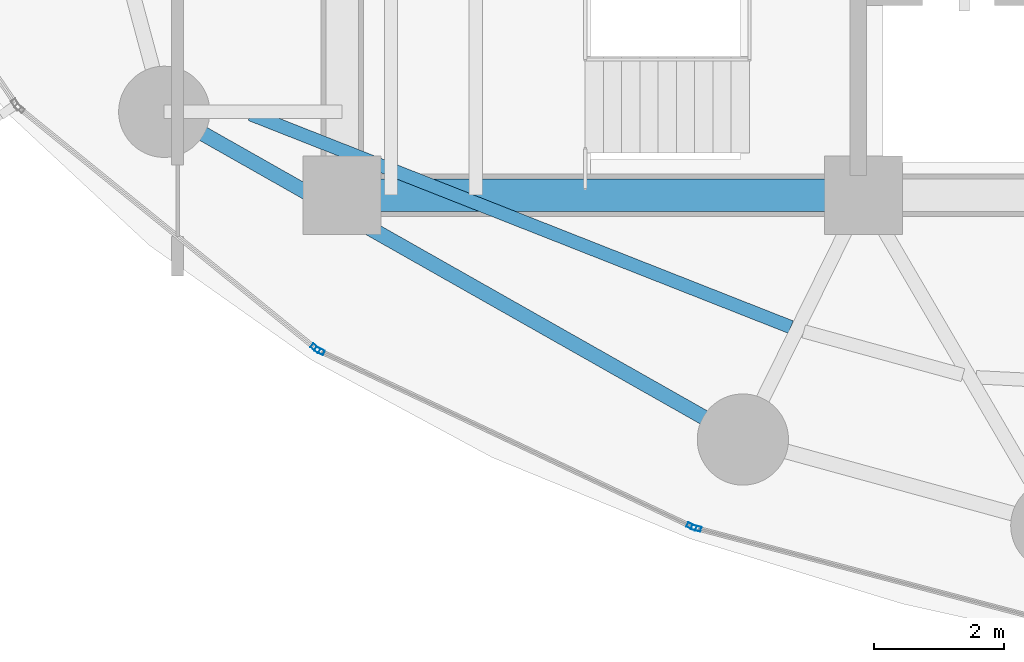
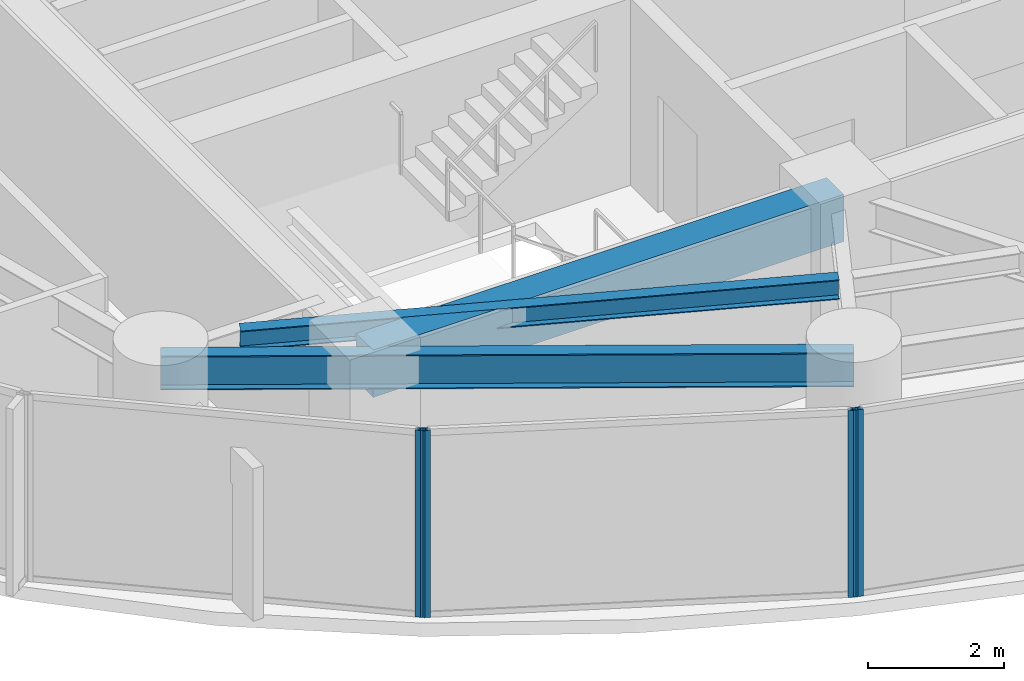
# One storey, part 2 of 32: 4 members, 3 beams, 3 elements without a shape of their own.
"""IFC4 building model written with IfcOpenShell, lengths in metres."""

from ifc_helpers import new_model, si_unit, direction, frame, origin, origin_2d, place, context, subcontext, project, spatial, rectangle, hollow_rectangle, i_section, extrude, material, layer, layer_set, material_profile, profile_set, type_object, element, aggregate, save


model = new_model("IFC4")

# Units and contexts
model_context = context("Model", 3, precision=1e-05, world=origin(), true_north=direction((0.0, 1.0)))
body_context = subcontext(model_context, "Body", "Model", "MODEL_VIEW")
ifc_project = project(units=[si_unit("LENGTHUNIT", "METRE"), si_unit("AREAUNIT", "SQUARE_METRE"), si_unit("VOLUMEUNIT", "CUBIC_METRE"), si_unit("PLANEANGLEUNIT", "RADIAN"), si_unit("MASSUNIT", "GRAM", prefix="KILO")], contexts=[model_context])

# Site, building, storey
site_placement = place(None, origin())
site = spatial("IfcSite", under=ifc_project, at=site_placement, CompositionType="ELEMENT")
building_placement = place(site_placement, origin())
building = spatial("IfcBuilding", under=site, at=building_placement, Name="Kazevale Care Tower and Concert Hall", CompositionType="ELEMENT")
storey_placement = place(building_placement, frame((0.0, 0.0, 85.199951171875)))
storey = spatial("IfcBuildingStorey", under=building, at=storey_placement, Name="L22", CompositionType="ELEMENT", Elevation=85.199951171875)

# Curtain wall, member
ifc_material_1 = material(Name="Aluminium 6063-T6 and Low-E Glass", Category="aluminium")
ifc_layer = layer(ifc_material_1, 0.179931640625)
ifc_layer_set = layer_set([ifc_layer], Name="Aluminium 6063-T6 and Low-E Glass")
curtain_wall_type = type_object("IfcCurtainWallType", Name="Sheltered Concave Balcony Curtain Wall CW-5", PredefinedType="NOTDEFINED", material=ifc_layer_set)
curtain_wall_1_placement = place(storey_placement, origin())
curtain_wall_1 = element("IfcCurtainWall", 1, at=curtain_wall_1_placement, inside=storey, type_object=curtain_wall_type, Name="cw:L22:f08", PredefinedType="NOTDEFINED")
ifc_material_2 = material(Name="Aluminium 6063-T6", Category="aluminium")
ifc_material_profile_1 = material_profile(ifc_material_2, hollow_rectangle(XDim=0.074951171875, YDim=0.14990234375, WallThickness=0.00390625, at=origin_2d()), Name="ALU75x150x4")
ifc_profile_set_1 = profile_set([ifc_material_profile_1], Name="Aluminium 6063-T6")
member_type = type_object("IfcMemberType", Name="CW-5 Mullion ALU75x150x4", PredefinedType="MULLION", material=ifc_profile_set_1)
member_1_placement = place(storey_placement, frame((27.433349609375, 18.489501953125, 0.0), z_axis=(0.0, 0.0, 1.0), x_axis=(-0.254828630267, -0.966986230097, 0.0)))
member_1 = element("IfcMember", 2, at=member_1_placement, type_object=member_type, Name="CW-5 mullion 2", PredefinedType="MULLION", context=body_context, shape_type="SweptSolid", body=[
    extrude(hollow_rectangle(XDim=0.074951171875, YDim=0.14990234375, WallThickness=0.00390625, at=origin_2d()), origin(), (0.0, 0.0, 1.0), 3.360107421875),
])
aggregate(curtain_wall_1, [member_1])

# Curtain wall, members
curtain_wall_2_placement = place(storey_placement, origin())
curtain_wall_2 = element("IfcCurtainWall", 3, at=curtain_wall_2_placement, inside=storey, type_object=curtain_wall_type, Name="cw:L22:f09", PredefinedType="NOTDEFINED")
member_2_placement = place(storey_placement, frame((27.363037109375, 18.514892578125, 0.0), z_axis=(0.0, 0.0, 1.0), x_axis=(-0.426942320459, -0.904278859092, 0.0)))
member_2 = element("IfcMember", 4, at=member_2_placement, type_object=member_type, Name="CW-5 mullion 1", PredefinedType="MULLION", context=body_context, shape_type="SweptSolid", body=[
    extrude(hollow_rectangle(XDim=0.074951171875, YDim=0.14990234375, WallThickness=0.00390625, at=origin_2d()), origin(), (0.0, 0.0, 1.0), 3.360107421875),
])
member_3_placement = place(storey_placement, frame((21.65283203125, 21.2109375, 0.0), z_axis=(0.0, 0.0, 1.0), x_axis=(-0.426942320459, -0.904278859092, 0.0)))
member_3 = element("IfcMember", 5, at=member_3_placement, type_object=member_type, Name="CW-5 mullion 2", PredefinedType="MULLION", context=body_context, shape_type="SweptSolid", body=[
    extrude(hollow_rectangle(XDim=0.074951171875, YDim=0.14990234375, WallThickness=0.00390625, at=origin_2d()), origin(), (0.0, 0.0, 1.0), 3.360107421875),
])
aggregate(curtain_wall_2, [member_2, member_3])

# Curtain wall, member
curtain_wall_3_placement = place(storey_placement, origin())
curtain_wall_3 = element("IfcCurtainWall", 6, at=curtain_wall_3_placement, inside=storey, type_object=curtain_wall_type, Name="cw:L22:f10", PredefinedType="NOTDEFINED")
member_4_placement = place(storey_placement, frame((21.58984375, 21.250732421875, 0.0), z_axis=(0.0, 0.0, 1.0), x_axis=(-0.629994732952, -0.77659940539, 0.0)))
member_4 = element("IfcMember", 7, at=member_4_placement, type_object=member_type, Name="CW-5 mullion 1", PredefinedType="MULLION", context=body_context, shape_type="SweptSolid", body=[
    extrude(hollow_rectangle(XDim=0.074951171875, YDim=0.14990234375, WallThickness=0.00390625, at=origin_2d()), origin(), (0.0, 0.0, 1.0), 3.360107421875),
])
aggregate(curtain_wall_3, [member_4])

# Beams
ifc_material_3 = material(Name="Concrete C60", Category="concrete")
ifc_material_profile_2 = material_profile(ifc_material_3, rectangle(XDim=0.5, YDim=0.85009765625, at=origin_2d()), Name="RC-B500x850")
ifc_profile_set_2 = profile_set([ifc_material_profile_2], Name="Concrete C60")
beam_type_1 = type_object("IfcBeamType", Name="Core Coupling Beam RC500x850", PredefinedType="LINTEL", material=ifc_profile_set_2)
beam_1_placement = place(storey_placement, frame((22.0, 23.60009765625, 2.93505859375), z_axis=(1.0, 0.0, 0.0), x_axis=(0.0, 1.0, 0.0)))
element("IfcBeam", 8, at=beam_1_placement, inside=storey, type_object=beam_type_1, Name="beam:L22:coretie:1", PredefinedType="LINTEL", context=body_context, shape_type="SweptSolid", body=[
    extrude(rectangle(XDim=0.5, YDim=0.85009765625, at=origin_2d()), origin(), (0.0, 0.0, 1.0), 8.0),
])
ifc_material_4 = material(Name="Steel ASTM A572 Gr 50", Category="steel")
ifc_material_profile_3 = material_profile(ifc_material_4, i_section(OverallWidth=0.22900390625, OverallDepth=0.612060546875, WebThickness=0.011962890625, FlangeThickness=0.01953125, at=origin_2d()), Name="W610x125")
ifc_profile_set_3 = profile_set([ifc_material_profile_3], Name="Steel ASTM A572 Gr 50")
beam_type_2 = type_object("IfcBeamType", Name="Ring Spandrel Beam W610x125", PredefinedType="SPANDREL", material=ifc_profile_set_3)
beam_2_placement = place(storey_placement, frame((19.27001953125, 24.8798828125, 3.053955078125), z_axis=(0.870112469479, -0.492853213906, 0.0), x_axis=(0.492853213906, 0.870112469479, 0.0)))
element("IfcBeam", 9, at=beam_2_placement, inside=storey, type_object=beam_type_2, Name="beam:L22:ring:10", PredefinedType="SPANDREL", context=body_context, shape_type="SweptSolid", body=[
    extrude(i_section(OverallWidth=0.22900390625, OverallDepth=0.612060546875, WebThickness=0.011962890625, FlangeThickness=0.01953125, at=origin_2d()), origin(), (0.0, 0.0, 1.0), 10.205322265625),
])
ifc_material_profile_4 = material_profile(ifc_material_4, i_section(OverallWidth=0.205078125, OverallDepth=0.35400390625, WebThickness=0.009521484375, FlangeThickness=0.016845703125, at=origin_2d()), Name="W360x79")
ifc_profile_set_4 = profile_set([ifc_material_profile_4], Name="Steel ASTM A572 Gr 50")
beam_type_3 = type_object("IfcBeamType", Name="Secondary Floor Joist W360x79", PredefinedType="JOIST", material=ifc_profile_set_4)
beam_3_placement = place(storey_placement, frame((20.595947265625, 24.842041015625, 3.18310546875), z_axis=(0.930380638802, -0.366594963062, 0.0), x_axis=(0.366594963062, 0.930380638802, 0.0)))
element("IfcBeam", 10, at=beam_3_placement, inside=storey, type_object=beam_type_3, Name="beam:L22:joist:10", PredefinedType="JOIST", context=body_context, shape_type="SweptSolid", body=[
    extrude(i_section(OverallWidth=0.205078125, OverallDepth=0.35400390625, WebThickness=0.009521484375, FlangeThickness=0.016845703125, at=origin_2d()), origin(), (0.0, 0.0, 1.0), 8.909423828125),
])

save(model, "model.ifc")
